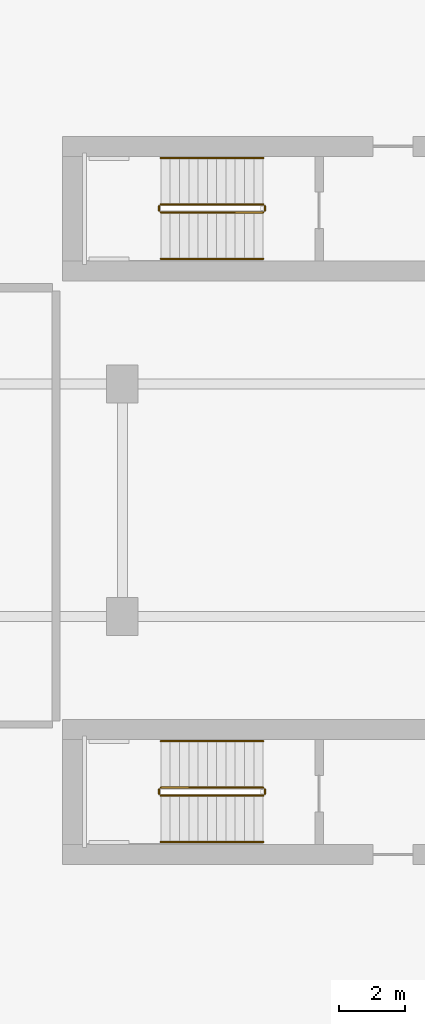
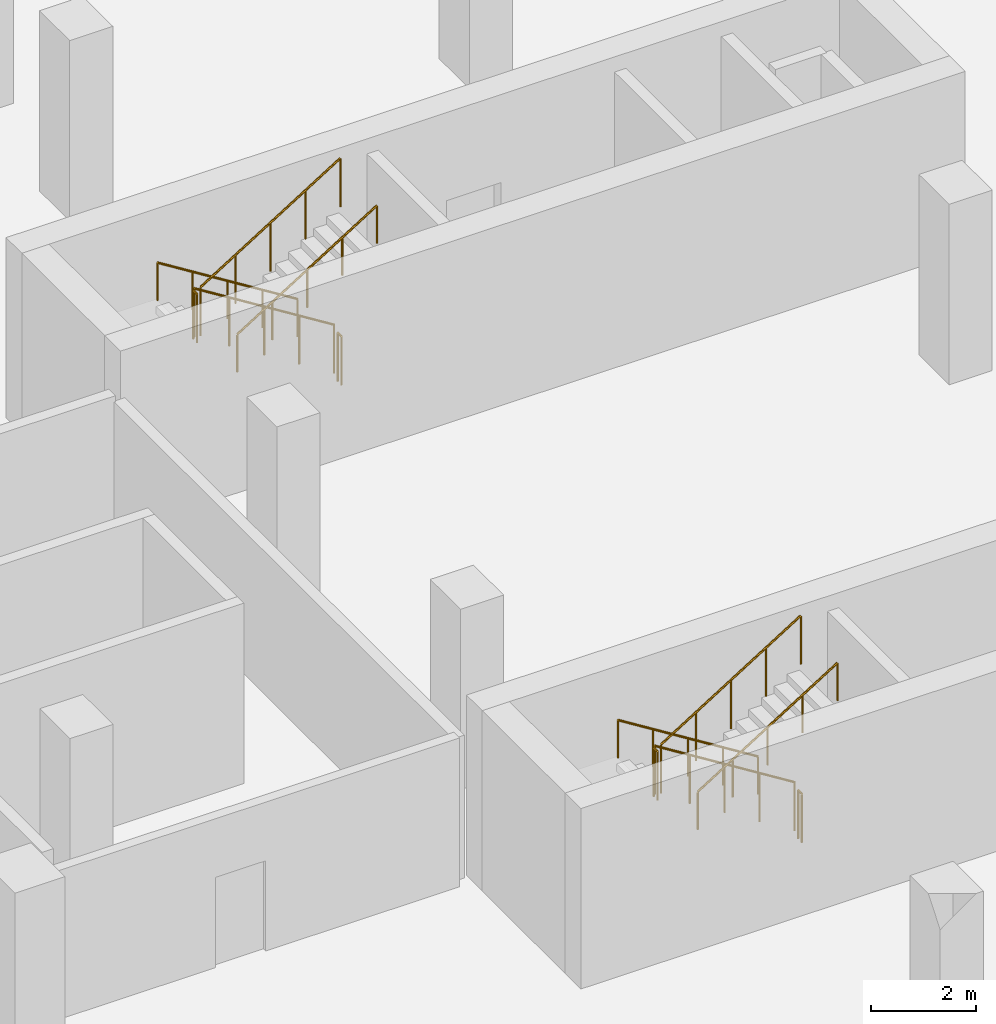
# One storey, part 13 of 13: 12 railings.
"""IFC4 building model written with IfcOpenShell, lengths in metres."""

from ifc_helpers import new_model, si_unit, derived_unit, direction, frame, origin, origin_2d, place, context, subcontext, project, spatial, circle, extrude, material, type_object, element, save


model = new_model("IFC4")

# Units and contexts
model_context = context("Model", 3, precision=1e-05, world=origin(), true_north=direction((0.0, 1.0)))
body_context = subcontext(model_context, "Body", "Model", "MODEL_VIEW")
ifc_project = project(units=[si_unit("LENGTHUNIT", "METRE"), si_unit("AREAUNIT", "SQUARE_METRE"), si_unit("VOLUMEUNIT", "CUBIC_METRE"), si_unit("PLANEANGLEUNIT", "RADIAN"), si_unit("MASSUNIT", "GRAM", prefix="KILO"), derived_unit("THERMALTRANSMITTANCEUNIT", [(si_unit("POWERUNIT", "WATT"), 1), (si_unit("LENGTHUNIT", "METRE"), -2), (si_unit("THERMODYNAMICTEMPERATUREUNIT", "KELVIN"), -1)])], contexts=[model_context])

# Site, building, storey
site_placement = place(None, origin())
site = spatial("IfcSite", under=ifc_project, at=site_placement, CompositionType="ELEMENT")
building_placement = place(site_placement, origin())
building = spatial("IfcBuilding", under=site, at=building_placement, Name="Kivonza Crest Hotel", CompositionType="ELEMENT")
storey_placement = place(building_placement, frame((0.0, 0.0, -4.199951171875)))
storey = spatial("IfcBuildingStorey", under=building, at=storey_placement, Name="B1", CompositionType="ELEMENT", Elevation=-4.199951171875)

# Railings
ifc_material_1 = material(Name="Brushed stainless steel handrail", Category="steel")
railing_type_1 = type_object("IfcRailingType", Name="RL-HAND-900", PredefinedType="HANDRAIL", material=ifc_material_1)
railing_1_placement = place(storey_placement, frame((73.840087890625, 35.31005859375, 0.175048828125)))
element("IfcRailing", 1, at=railing_1_placement, inside=storey, type_object=railing_type_1, Name="B1 ST-T2-N stair handrail 1", PredefinedType="HANDRAIL", context=body_context, shape_type="SweptSolid", body=[
    extrude(circle(Radius=0.02392578125, at=origin_2d()), frame((0.0, 0.0, 0.8759765625), z_axis=(-0.848028513186, 0.0, 0.529950602248), x_axis=(0.0, -1.0, 0.0)), (0.0, 0.0, 1.0), 3.632080078125),
    extrude(circle(Radius=0.02099609375, at=origin_2d()), origin(), (0.0, 0.0, 1.0), 0.851806640625),
    extrude(circle(Radius=0.02099609375, at=origin_2d()), frame((-0.77001953125, 0.0, 0.481201171875)), (0.0, 0.0, 1.0), 0.851806640625),
    extrude(circle(Radius=0.02099609375, at=origin_2d()), frame((-1.5400390625, 0.0, 0.96240234375)), (0.0, 0.0, 1.0), 0.851806640625),
    extrude(circle(Radius=0.02099609375, at=origin_2d()), frame((-2.31005859375, 0.0, 1.443603515625)), (0.0, 0.0, 1.0), 0.851806640625),
    extrude(circle(Radius=0.02099609375, at=origin_2d()), frame((-3.080078125, 0.0, 1.9248046875)), (0.0, 0.0, 1.0), 0.851806640625),
])
railing_2_placement = place(storey_placement, frame((70.760009765625, 32.27001953125, 2.27490234375)))
element("IfcRailing", 2, at=railing_2_placement, inside=storey, type_object=railing_type_1, Name="B1 ST-T2-N stair handrail 2", PredefinedType="HANDRAIL", context=body_context, shape_type="SweptSolid", body=[
    extrude(circle(Radius=0.02392578125, at=origin_2d()), frame((0.0, 0.0, 0.8759765625), z_axis=(0.847998304005, 0.0, 0.529998940003), x_axis=(0.0, 1.0, 0.0)), (0.0, 0.0, 1.0), 3.632080078125),
    extrude(circle(Radius=0.02099609375, at=origin_2d()), origin(), (0.0, 0.0, 1.0), 0.851806640625),
    extrude(circle(Radius=0.02099609375, at=origin_2d()), frame((0.77001953125, 0.0, 0.481201171875)), (0.0, 0.0, 1.0), 0.851806640625),
    extrude(circle(Radius=0.02099609375, at=origin_2d()), frame((1.5400390625, 0.0, 0.96240234375)), (0.0, 0.0, 1.0), 0.851806640625),
    extrude(circle(Radius=0.02099609375, at=origin_2d()), frame((2.31005859375, 0.0, 1.44384765625)), (0.0, 0.0, 1.0), 0.851806640625),
    extrude(circle(Radius=0.02099609375, at=origin_2d()), frame((3.080078125, 0.0, 1.925048828125)), (0.0, 0.0, 1.0), 0.851806640625),
])
railing_3_placement = place(storey_placement, frame((73.840087890625, 17.75, 0.175048828125)))
element("IfcRailing", 3, at=railing_3_placement, inside=storey, type_object=railing_type_1, Name="B1 ST-T2-S stair handrail 1", PredefinedType="HANDRAIL", context=body_context, shape_type="SweptSolid", body=[
    extrude(circle(Radius=0.02392578125, at=origin_2d()), frame((0.0, 0.0, 0.8759765625), z_axis=(-0.848028513186, 0.0, 0.529950602248), x_axis=(0.0, -1.0, 0.0)), (0.0, 0.0, 1.0), 3.632080078125),
    extrude(circle(Radius=0.02099609375, at=origin_2d()), origin(), (0.0, 0.0, 1.0), 0.851806640625),
    extrude(circle(Radius=0.02099609375, at=origin_2d()), frame((-0.77001953125, 0.0, 0.481201171875)), (0.0, 0.0, 1.0), 0.851806640625),
    extrude(circle(Radius=0.02099609375, at=origin_2d()), frame((-1.5400390625, 0.0, 0.96240234375)), (0.0, 0.0, 1.0), 0.851806640625),
    extrude(circle(Radius=0.02099609375, at=origin_2d()), frame((-2.31005859375, 0.0, 1.443603515625)), (0.0, 0.0, 1.0), 0.851806640625),
    extrude(circle(Radius=0.02099609375, at=origin_2d()), frame((-3.080078125, 0.0, 1.9248046875)), (0.0, 0.0, 1.0), 0.851806640625),
])
railing_4_placement = place(storey_placement, frame((70.760009765625, 14.7099609375, 2.27490234375)))
element("IfcRailing", 4, at=railing_4_placement, inside=storey, type_object=railing_type_1, Name="B1 ST-T2-S stair handrail 2", PredefinedType="HANDRAIL", context=body_context, shape_type="SweptSolid", body=[
    extrude(circle(Radius=0.02392578125, at=origin_2d()), frame((0.0, 0.0, 0.8759765625), z_axis=(0.847998304005, 0.0, 0.529998940003), x_axis=(0.0, 1.0, 0.0)), (0.0, 0.0, 1.0), 3.632080078125),
    extrude(circle(Radius=0.02099609375, at=origin_2d()), origin(), (0.0, 0.0, 1.0), 0.851806640625),
    extrude(circle(Radius=0.02099609375, at=origin_2d()), frame((0.77001953125, 0.0, 0.481201171875)), (0.0, 0.0, 1.0), 0.851806640625),
    extrude(circle(Radius=0.02099609375, at=origin_2d()), frame((1.5400390625, 0.0, 0.96240234375)), (0.0, 0.0, 1.0), 0.851806640625),
    extrude(circle(Radius=0.02099609375, at=origin_2d()), frame((2.31005859375, 0.0, 1.44384765625)), (0.0, 0.0, 1.0), 0.851806640625),
    extrude(circle(Radius=0.02099609375, at=origin_2d()), frame((3.080078125, 0.0, 1.925048828125)), (0.0, 0.0, 1.0), 0.851806640625),
])
ifc_material_2 = material(Name="Painted steel balustrade", Category="steel")
railing_type_2 = type_object("IfcRailingType", Name="RL-STAIR-1150", PredefinedType="BALUSTRADE", material=ifc_material_2)
railing_5_placement = place(storey_placement, frame((73.840087890625, 33.909912109375, 0.175048828125)))
element("IfcRailing", 5, at=railing_5_placement, inside=storey, type_object=railing_type_2, Name="B1 ST-T2-N stair guard 1", PredefinedType="BALUSTRADE", context=body_context, shape_type="SweptSolid", body=[
    extrude(circle(Radius=0.02392578125, at=origin_2d()), frame((0.0, 0.0, 1.1259765625), z_axis=(-0.848028513186, 0.0, 0.529950602248), x_axis=(0.0, -1.0, 0.0)), (0.0, 0.0, 1.0), 3.632080078125),
    extrude(circle(Radius=0.02099609375, at=origin_2d()), origin(), (0.0, 0.0, 1.0), 1.101806640625),
    extrude(circle(Radius=0.02099609375, at=origin_2d()), frame((-0.77001953125, 0.0, 0.481201171875)), (0.0, 0.0, 1.0), 1.101806640625),
    extrude(circle(Radius=0.02099609375, at=origin_2d()), frame((-1.5400390625, 0.0, 0.96240234375)), (0.0, 0.0, 1.0), 1.101806640625),
    extrude(circle(Radius=0.02099609375, at=origin_2d()), frame((-2.31005859375, 0.0, 1.443603515625)), (0.0, 0.0, 1.0), 1.101806640625),
    extrude(circle(Radius=0.02099609375, at=origin_2d()), frame((-3.080078125, 0.0, 1.9248046875)), (0.0, 0.0, 1.0), 1.101806640625),
])
railing_6_placement = place(storey_placement, frame((70.7099609375, 33.860107421875, 2.099853515625)))
element("IfcRailing", 6, at=railing_6_placement, inside=storey, type_object=railing_type_2, Name="B1 ST-T2-N stair guard 2", PredefinedType="BALUSTRADE", context=body_context, shape_type="SweptSolid", body=[
    extrude(circle(Radius=0.02392578125, at=origin_2d()), frame((0.0, 0.0, 1.1259765625), z_axis=(0.0, -1.0, 0.0), x_axis=(1.0, 0.0, 0.0)), (0.0, 0.0, 1.0), 0.14013671875),
    extrude(circle(Radius=0.02099609375, at=origin_2d()), origin(), (0.0, 0.0, 1.0), 1.101806640625),
    extrude(circle(Radius=0.02099609375, at=origin_2d()), frame((0.0, -0.14013671875, 0.0)), (0.0, 0.0, 1.0), 1.101806640625),
])
railing_7_placement = place(storey_placement, frame((70.760009765625, 33.669921875, 2.27490234375)))
element("IfcRailing", 7, at=railing_7_placement, inside=storey, type_object=railing_type_2, Name="B1 ST-T2-N stair guard 3", PredefinedType="BALUSTRADE", context=body_context, shape_type="SweptSolid", body=[
    extrude(circle(Radius=0.02392578125, at=origin_2d()), frame((0.0, 0.0, 1.1259765625), z_axis=(0.847998304005, 0.0, 0.529998940003), x_axis=(0.0, 1.0, 0.0)), (0.0, 0.0, 1.0), 3.632080078125),
    extrude(circle(Radius=0.02099609375, at=origin_2d()), origin(), (0.0, 0.0, 1.0), 1.101806640625),
    extrude(circle(Radius=0.02099609375, at=origin_2d()), frame((0.77001953125, 0.0, 0.481201171875)), (0.0, 0.0, 1.0), 1.101806640625),
    extrude(circle(Radius=0.02099609375, at=origin_2d()), frame((1.5400390625, 0.0, 0.96240234375)), (0.0, 0.0, 1.0), 1.101806640625),
    extrude(circle(Radius=0.02099609375, at=origin_2d()), frame((2.31005859375, 0.0, 1.44384765625)), (0.0, 0.0, 1.0), 1.101806640625),
    extrude(circle(Radius=0.02099609375, at=origin_2d()), frame((3.080078125, 0.0, 1.925048828125)), (0.0, 0.0, 1.0), 1.101806640625),
])
railing_8_placement = place(storey_placement, frame((73.889892578125, 33.860107421875, 0.0)))
element("IfcRailing", 8, at=railing_8_placement, inside=storey, type_object=railing_type_2, Name="B1 ST-T2-N stair guard 4", PredefinedType="BALUSTRADE", context=body_context, shape_type="SweptSolid", body=[
    extrude(circle(Radius=0.02392578125, at=origin_2d()), frame((0.0, 0.0, 1.1259765625), z_axis=(0.0, -1.0, 0.0), x_axis=(1.0, 0.0, 0.0)), (0.0, 0.0, 1.0), 0.14013671875),
    extrude(circle(Radius=0.02099609375, at=origin_2d()), origin(), (0.0, 0.0, 1.0), 1.101806640625),
    extrude(circle(Radius=0.02099609375, at=origin_2d()), frame((0.0, -0.14013671875, 0.0)), (0.0, 0.0, 1.0), 1.101806640625),
])
railing_9_placement = place(storey_placement, frame((73.840087890625, 16.35009765625, 0.175048828125)))
element("IfcRailing", 9, at=railing_9_placement, inside=storey, type_object=railing_type_2, Name="B1 ST-T2-S stair guard 1", PredefinedType="BALUSTRADE", context=body_context, shape_type="SweptSolid", body=[
    extrude(circle(Radius=0.02392578125, at=origin_2d()), frame((0.0, 0.0, 1.1259765625), z_axis=(-0.848028513186, 0.0, 0.529950602248), x_axis=(0.0, -1.0, 0.0)), (0.0, 0.0, 1.0), 3.632080078125),
    extrude(circle(Radius=0.02099609375, at=origin_2d()), origin(), (0.0, 0.0, 1.0), 1.101806640625),
    extrude(circle(Radius=0.02099609375, at=origin_2d()), frame((-0.77001953125, 0.0, 0.481201171875)), (0.0, 0.0, 1.0), 1.101806640625),
    extrude(circle(Radius=0.02099609375, at=origin_2d()), frame((-1.5400390625, 0.0, 0.96240234375)), (0.0, 0.0, 1.0), 1.101806640625),
    extrude(circle(Radius=0.02099609375, at=origin_2d()), frame((-2.31005859375, 0.0, 1.443603515625)), (0.0, 0.0, 1.0), 1.101806640625),
    extrude(circle(Radius=0.02099609375, at=origin_2d()), frame((-3.080078125, 0.0, 1.9248046875)), (0.0, 0.0, 1.0), 1.101806640625),
])
railing_10_placement = place(storey_placement, frame((70.7099609375, 16.300048828125, 2.099853515625)))
element("IfcRailing", 10, at=railing_10_placement, inside=storey, type_object=railing_type_2, Name="B1 ST-T2-S stair guard 2", PredefinedType="BALUSTRADE", context=body_context, shape_type="SweptSolid", body=[
    extrude(circle(Radius=0.02392578125, at=origin_2d()), frame((0.0, 0.0, 1.1259765625), z_axis=(0.0, -1.0, 0.0), x_axis=(1.0, 0.0, 0.0)), (0.0, 0.0, 1.0), 0.14013671875),
    extrude(circle(Radius=0.02099609375, at=origin_2d()), origin(), (0.0, 0.0, 1.0), 1.101806640625),
    extrude(circle(Radius=0.02099609375, at=origin_2d()), frame((0.0, -0.14013671875, 0.0)), (0.0, 0.0, 1.0), 1.101806640625),
])
railing_11_placement = place(storey_placement, frame((70.760009765625, 16.110107421875, 2.27490234375)))
element("IfcRailing", 11, at=railing_11_placement, inside=storey, type_object=railing_type_2, Name="B1 ST-T2-S stair guard 3", PredefinedType="BALUSTRADE", context=body_context, shape_type="SweptSolid", body=[
    extrude(circle(Radius=0.02392578125, at=origin_2d()), frame((0.0, 0.0, 1.1259765625), z_axis=(0.847998304005, 0.0, 0.529998940003), x_axis=(0.0, 1.0, 0.0)), (0.0, 0.0, 1.0), 3.632080078125),
    extrude(circle(Radius=0.02099609375, at=origin_2d()), origin(), (0.0, 0.0, 1.0), 1.101806640625),
    extrude(circle(Radius=0.02099609375, at=origin_2d()), frame((0.77001953125, 0.0, 0.481201171875)), (0.0, 0.0, 1.0), 1.101806640625),
    extrude(circle(Radius=0.02099609375, at=origin_2d()), frame((1.5400390625, 0.0, 0.96240234375)), (0.0, 0.0, 1.0), 1.101806640625),
    extrude(circle(Radius=0.02099609375, at=origin_2d()), frame((2.31005859375, 0.0, 1.44384765625)), (0.0, 0.0, 1.0), 1.101806640625),
    extrude(circle(Radius=0.02099609375, at=origin_2d()), frame((3.080078125, 0.0, 1.925048828125)), (0.0, 0.0, 1.0), 1.101806640625),
])
railing_12_placement = place(storey_placement, frame((73.889892578125, 16.300048828125, 0.0)))
element("IfcRailing", 12, at=railing_12_placement, inside=storey, type_object=railing_type_2, Name="B1 ST-T2-S stair guard 4", PredefinedType="BALUSTRADE", context=body_context, shape_type="SweptSolid", body=[
    extrude(circle(Radius=0.02392578125, at=origin_2d()), frame((0.0, 0.0, 1.1259765625), z_axis=(0.0, -1.0, 0.0), x_axis=(1.0, 0.0, 0.0)), (0.0, 0.0, 1.0), 0.14013671875),
    extrude(circle(Radius=0.02099609375, at=origin_2d()), origin(), (0.0, 0.0, 1.0), 1.101806640625),
    extrude(circle(Radius=0.02099609375, at=origin_2d()), frame((0.0, -0.14013671875, 0.0)), (0.0, 0.0, 1.0), 1.101806640625),
])

save(model, "model.ifc")
